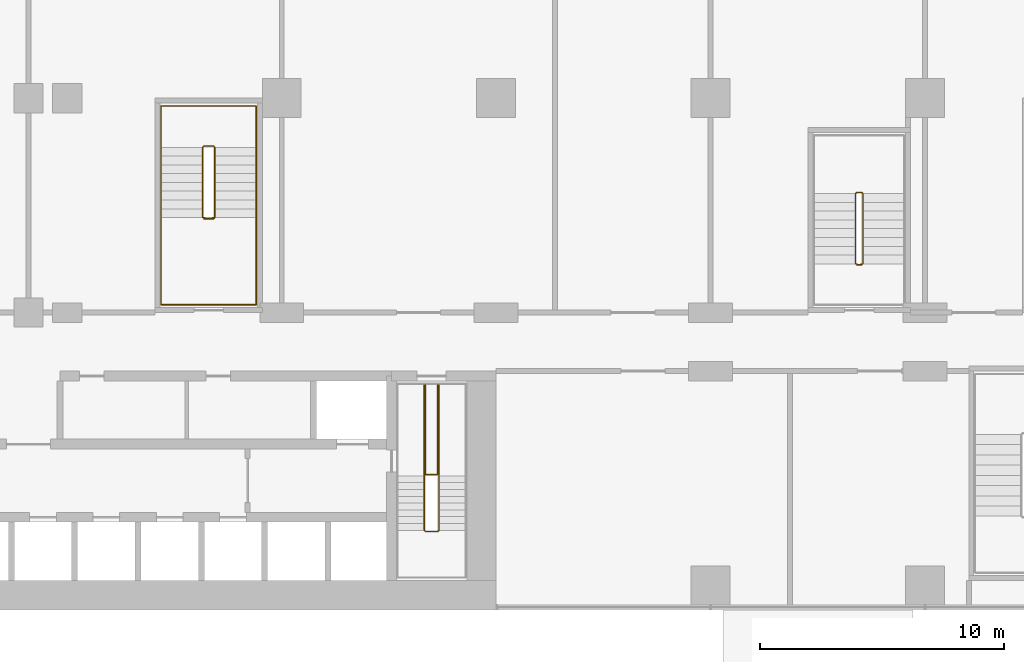
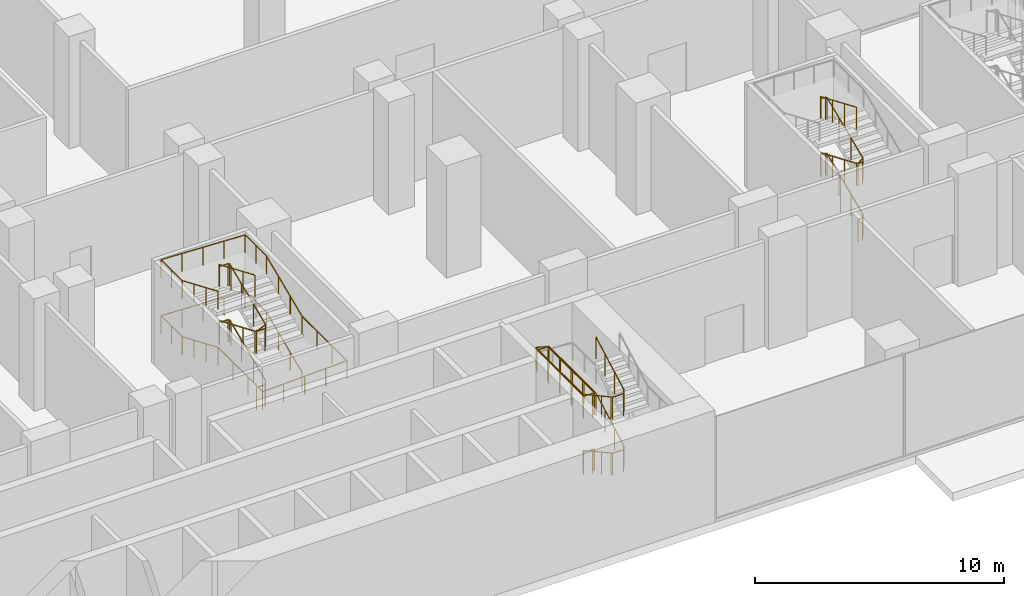
# One storey, part 26 of 30: 4 railings.
"""IFC4 building model written with IfcOpenShell, lengths in metres."""

from ifc_helpers import new_model, si_unit, direction, frame, origin, origin_2d, place, context, subcontext, project, spatial, circle, extrude, material, type_object, element, save


model = new_model("IFC4")

# Units and contexts
model_context = context("Model", 3, precision=1e-05, world=origin(), true_north=direction((0.0, 1.0)))
body_context = subcontext(model_context, "Body", "Model", "MODEL_VIEW")
ifc_project = project(units=[si_unit("LENGTHUNIT", "METRE"), si_unit("AREAUNIT", "SQUARE_METRE"), si_unit("VOLUMEUNIT", "CUBIC_METRE"), si_unit("PLANEANGLEUNIT", "RADIAN"), si_unit("MASSUNIT", "GRAM", prefix="KILO")], contexts=[model_context])

# Site, building, storey
site_placement = place(None, origin())
site = spatial("IfcSite", under=ifc_project, at=site_placement, CompositionType="ELEMENT")
building_placement = place(site_placement, origin())
building = spatial("IfcBuilding", under=site, at=building_placement, Name="Kemantara Hotel Tower", CompositionType="ELEMENT")
storey_placement = place(building_placement, frame((0.0, 0.0, 7.5)))
storey = spatial("IfcBuildingStorey", under=building, at=storey_placement, Name="L01", CompositionType="ELEMENT", Elevation=7.5)

# Railings
ifc_material = material(Name="Stainless steel balustrade", Category="steel")
railing_type_1 = type_object("IfcRailingType", Name="Stair guard 1100 mm", PredefinedType="GUARDRAIL", material=ifc_material)
railing_1_placement = place(storey_placement, frame((42.64990234375, 5.5, 5.5)))
element("IfcRailing", 1, at=railing_1_placement, inside=storey, type_object=railing_type_1, Name="L01 ST2 stair guard 1", PredefinedType="GUARDRAIL", context=body_context, shape_type="SweptSolid", body=[
    extrude(circle(Radius=0.02392578125, at=origin_2d()), frame((0.0, 0.0, 1.076171875), z_axis=(0.0, -0.87783706319, -0.478959382924), x_axis=(1.0, 0.0, 0.0)), (0.0, 0.0, 1.0), 2.5517578125),
    extrude(circle(Radius=0.02392578125, at=origin_2d()), frame((0.0, -2.239990234375, -0.14599609375), z_axis=(-0.295833358201, -0.297283521722, -0.907802363892), x_axis=(0.708833529934, -0.705375805398, 0.0)), (0.0, 0.0, 1.0), 0.16845703125),
    extrude(circle(Radius=0.02392578125, at=origin_2d()), frame((-0.0498046875, -2.2900390625, -0.298828125), z_axis=(-1.0, 0.0, 0.0), x_axis=(0.0, -1.0, 0.0)), (0.0, 0.0, 1.0), 0.5),
    extrude(circle(Radius=0.02392578125, at=origin_2d()), frame((-0.5498046875, -2.2900390625, -0.298828125), z_axis=(-0.707106781187, 0.707106781187, 0.0), x_axis=(-0.707106781187, -0.707106781187, 0.0)), (0.0, 0.0, 1.0), 0.07080078125),
    extrude(circle(Radius=0.02392578125, at=origin_2d()), frame((-0.599853515625, -2.239990234375, -0.298828125), z_axis=(0.0, 0.87783706319, -0.478959382924), x_axis=(-1.0, 0.0, 0.0)), (0.0, 0.0, 1.0), 2.5517578125),
    extrude(circle(Radius=0.02392578125, at=origin_2d()), frame((-0.599853515625, 0.0, -1.52099609375), z_axis=(0.0, 1.0, 0.0), x_axis=(-1.0, 0.0, 0.0)), (0.0, 0.0, 1.0), 3.780029296875),
    extrude(circle(Radius=0.02392578125, at=origin_2d()), frame((-0.599853515625, 3.780029296875, -1.52099609375), z_axis=(0.963499526908, 0.0, -0.267710032776), x_axis=(0.0, 1.0, 0.0)), (0.0, 0.0, 1.0), 0.57080078125),
    extrude(circle(Radius=0.02392578125, at=origin_2d()), frame((-0.0498046875, 3.780029296875, -1.673828125), z_axis=(0.0, -1.0, 0.0), x_axis=(1.0, 0.0, 0.0)), (0.0, 0.0, 1.0), 3.72998046875),
    extrude(circle(Radius=0.02392578125, at=origin_2d()), frame((-0.0498046875, 0.050048828125, -1.673828125), z_axis=(-1.0, 0.0, 0.0), x_axis=(0.0, -1.0, 0.0)), (0.0, 0.0, 1.0), 0.5),
    extrude(circle(Radius=0.02392578125, at=origin_2d()), frame((-0.5498046875, 0.050048828125, -1.673828125), z_axis=(0.0, 1.0, 0.0), x_axis=(-1.0, 0.0, 0.0)), (0.0, 0.0, 1.0), 3.72998046875),
    extrude(circle(Radius=0.02392578125, at=origin_2d()), frame((-0.5498046875, 3.780029296875, -1.673828125), z_axis=(1.0, 0.0, 0.0), x_axis=(0.0, 1.0, 0.0)), (0.0, 0.0, 1.0), 0.5498046875),
    extrude(circle(Radius=0.02392578125, at=origin_2d()), frame((0.0, 3.780029296875, -1.673828125), z_axis=(0.0, -1.0, 0.0), x_axis=(1.0, 0.0, 0.0)), (0.0, 0.0, 1.0), 3.780029296875),
    extrude(circle(Radius=0.02392578125, at=origin_2d()), frame((0.0, 0.0, -1.673828125), z_axis=(0.0, -0.87783706319, -0.478959382924), x_axis=(1.0, 0.0, 0.0)), (0.0, 0.0, 1.0), 2.5517578125),
    extrude(circle(Radius=0.02392578125, at=origin_2d()), frame((0.0, -2.239990234375, -2.89599609375), z_axis=(-0.295833358201, -0.297283521722, -0.907802363892), x_axis=(0.708833529934, -0.705375805398, 0.0)), (0.0, 0.0, 1.0), 0.16845703125),
    extrude(circle(Radius=0.02392578125, at=origin_2d()), frame((-0.0498046875, -2.2900390625, -3.048828125), z_axis=(-1.0, 0.0, 0.0), x_axis=(0.0, -1.0, 0.0)), (0.0, 0.0, 1.0), 0.5),
    extrude(circle(Radius=0.02392578125, at=origin_2d()), frame((-0.5498046875, -2.2900390625, -3.048828125), z_axis=(-0.707106781187, 0.707106781187, 0.0), x_axis=(-0.707106781187, -0.707106781187, 0.0)), (0.0, 0.0, 1.0), 0.07080078125),
    extrude(circle(Radius=0.02392578125, at=origin_2d()), frame((-0.599853515625, -2.239990234375, -3.048828125), z_axis=(0.0, 0.87783706319, -0.478959382924), x_axis=(-1.0, 0.0, 0.0)), (0.0, 0.0, 1.0), 2.5517578125),
    extrude(circle(Radius=0.02392578125, at=origin_2d()), frame((-0.599853515625, 0.0, -4.27099609375), z_axis=(0.297155754911, 0.297155754911, -0.90741220768), x_axis=(-0.707106781187, 0.707106781187, 0.0)), (0.0, 0.0, 1.0), 0.16845703125),
    extrude(circle(Radius=0.02392578125, at=origin_2d()), frame((-0.5498046875, 0.050048828125, -4.423828125), z_axis=(1.0, 0.0, 0.0), x_axis=(0.0, 1.0, 0.0)), (0.0, 0.0, 1.0), 0.5),
    extrude(circle(Radius=0.02099609375, at=origin_2d()), origin(), (0.0, 0.0, 1.0), 1.052001953125),
    extrude(circle(Radius=0.02099609375, at=origin_2d()), frame((0.0, -0.74658203125, -0.407470703125)), (0.0, 0.0, 1.0), 1.052001953125),
    extrude(circle(Radius=0.02099609375, at=origin_2d()), frame((0.0, -1.493408203125, -0.814697265625)), (0.0, 0.0, 1.0), 1.052001953125),
    extrude(circle(Radius=0.02099609375, at=origin_2d()), frame((0.0, -2.239990234375, -1.22216796875)), (0.0, 0.0, 1.0), 1.052001953125),
    extrude(circle(Radius=0.02099609375, at=origin_2d()), frame((-0.0498046875, -2.2900390625, -1.375)), (0.0, 0.0, 1.0), 1.052001953125),
    extrude(circle(Radius=0.02099609375, at=origin_2d()), frame((-0.5498046875, -2.2900390625, -1.375)), (0.0, 0.0, 1.0), 1.052001953125),
    extrude(circle(Radius=0.02099609375, at=origin_2d()), frame((-0.599853515625, -2.239990234375, -1.375)), (0.0, 0.0, 1.0), 1.052001953125),
    extrude(circle(Radius=0.02099609375, at=origin_2d()), frame((-0.599853515625, -1.493408203125, -1.782470703125)), (0.0, 0.0, 1.0), 1.052001953125),
    extrude(circle(Radius=0.02099609375, at=origin_2d()), frame((-0.599853515625, -0.74658203125, -2.189697265625)), (0.0, 0.0, 1.0), 1.052001953125),
    extrude(circle(Radius=0.02099609375, at=origin_2d()), frame((-0.599853515625, 0.0, -2.59716796875)), (0.0, 0.0, 1.0), 1.052001953125),
    extrude(circle(Radius=0.02099609375, at=origin_2d()), frame((-0.599853515625, 0.945068359375, -2.59716796875)), (0.0, 0.0, 1.0), 1.052001953125),
    extrude(circle(Radius=0.02099609375, at=origin_2d()), frame((-0.599853515625, 1.89013671875, -2.59716796875)), (0.0, 0.0, 1.0), 1.052001953125),
    extrude(circle(Radius=0.02099609375, at=origin_2d()), frame((-0.599853515625, 2.8349609375, -2.59716796875)), (0.0, 0.0, 1.0), 1.052001953125),
    extrude(circle(Radius=0.02099609375, at=origin_2d()), frame((-0.599853515625, 3.780029296875, -2.59716796875)), (0.0, 0.0, 1.0), 1.052001953125),
    extrude(circle(Radius=0.02099609375, at=origin_2d()), frame((-0.0498046875, 3.780029296875, -2.75)), (0.0, 0.0, 1.0), 1.052001953125),
    extrude(circle(Radius=0.02099609375, at=origin_2d()), frame((-0.0498046875, 2.84765625, -2.75)), (0.0, 0.0, 1.0), 1.052001953125),
    extrude(circle(Radius=0.02099609375, at=origin_2d()), frame((-0.0498046875, 1.9150390625, -2.75)), (0.0, 0.0, 1.0), 1.052001953125),
    extrude(circle(Radius=0.02099609375, at=origin_2d()), frame((-0.0498046875, 0.982421875, -2.75)), (0.0, 0.0, 1.0), 1.052001953125),
    extrude(circle(Radius=0.02099609375, at=origin_2d()), frame((-0.0498046875, 0.050048828125, -2.75)), (0.0, 0.0, 1.0), 1.052001953125),
    extrude(circle(Radius=0.02099609375, at=origin_2d()), frame((-0.5498046875, 0.050048828125, -2.75)), (0.0, 0.0, 1.0), 1.052001953125),
    extrude(circle(Radius=0.02099609375, at=origin_2d()), frame((-0.5498046875, 0.982421875, -2.75)), (0.0, 0.0, 1.0), 1.052001953125),
    extrude(circle(Radius=0.02099609375, at=origin_2d()), frame((-0.5498046875, 1.9150390625, -2.75)), (0.0, 0.0, 1.0), 1.052001953125),
    extrude(circle(Radius=0.02099609375, at=origin_2d()), frame((-0.5498046875, 2.84765625, -2.75)), (0.0, 0.0, 1.0), 1.052001953125),
    extrude(circle(Radius=0.02099609375, at=origin_2d()), frame((-0.5498046875, 3.780029296875, -2.75)), (0.0, 0.0, 1.0), 1.052001953125),
    extrude(circle(Radius=0.02099609375, at=origin_2d()), frame((0.0, 3.780029296875, -2.75)), (0.0, 0.0, 1.0), 1.052001953125),
    extrude(circle(Radius=0.02099609375, at=origin_2d()), frame((0.0, 2.8349609375, -2.75)), (0.0, 0.0, 1.0), 1.052001953125),
    extrude(circle(Radius=0.02099609375, at=origin_2d()), frame((0.0, 1.89013671875, -2.75)), (0.0, 0.0, 1.0), 1.052001953125),
    extrude(circle(Radius=0.02099609375, at=origin_2d()), frame((0.0, 0.945068359375, -2.75)), (0.0, 0.0, 1.0), 1.052001953125),
    extrude(circle(Radius=0.02099609375, at=origin_2d()), frame((0.0, 0.0, -2.75)), (0.0, 0.0, 1.0), 1.052001953125),
    extrude(circle(Radius=0.02099609375, at=origin_2d()), frame((0.0, -0.74658203125, -3.157470703125)), (0.0, 0.0, 1.0), 1.052001953125),
    extrude(circle(Radius=0.02099609375, at=origin_2d()), frame((0.0, -1.493408203125, -3.564697265625)), (0.0, 0.0, 1.0), 1.052001953125),
    extrude(circle(Radius=0.02099609375, at=origin_2d()), frame((0.0, -2.239990234375, -3.97216796875)), (0.0, 0.0, 1.0), 1.052001953125),
    extrude(circle(Radius=0.02099609375, at=origin_2d()), frame((-0.0498046875, -2.2900390625, -4.125)), (0.0, 0.0, 1.0), 1.052001953125),
    extrude(circle(Radius=0.02099609375, at=origin_2d()), frame((-0.5498046875, -2.2900390625, -4.125)), (0.0, 0.0, 1.0), 1.052001953125),
    extrude(circle(Radius=0.02099609375, at=origin_2d()), frame((-0.599853515625, -2.239990234375, -4.125)), (0.0, 0.0, 1.0), 1.052001953125),
    extrude(circle(Radius=0.02099609375, at=origin_2d()), frame((-0.599853515625, -1.493408203125, -4.532470703125)), (0.0, 0.0, 1.0), 1.052001953125),
    extrude(circle(Radius=0.02099609375, at=origin_2d()), frame((-0.599853515625, -0.74658203125, -4.939697265625)), (0.0, 0.0, 1.0), 1.052001953125),
    extrude(circle(Radius=0.02099609375, at=origin_2d()), frame((-0.599853515625, 0.0, -5.34716796875)), (0.0, 0.0, 1.0), 1.052001953125),
    extrude(circle(Radius=0.02099609375, at=origin_2d()), frame((-0.5498046875, 0.050048828125, -5.5)), (0.0, 0.0, 1.0), 1.052001953125),
    extrude(circle(Radius=0.02099609375, at=origin_2d()), frame((-0.0498046875, 0.050048828125, -5.5)), (0.0, 0.0, 1.0), 1.052001953125),
])
railing_2_placement = place(storey_placement, frame((59.75, 14.199951171875, 5.5)))
element("IfcRailing", 2, at=railing_2_placement, inside=storey, type_object=railing_type_1, Name="L01 ST3 stair guard 1", PredefinedType="GUARDRAIL", context=body_context, shape_type="SweptSolid", body=[
    extrude(circle(Radius=0.02392578125, at=origin_2d()), frame((0.0, 0.0, 1.076171875), z_axis=(0.0, 0.920547772064, -0.390630003133), x_axis=(-1.0, 0.0, 0.0)), (0.0, 0.0, 1.0), 3.128662109375),
    extrude(circle(Radius=0.02392578125, at=origin_2d()), frame((0.0, 2.880126953125, -0.14599609375), z_axis=(0.297283521722, 0.295833358201, -0.907802363892), x_axis=(-0.705375805398, 0.708833529934, 0.0)), (0.0, 0.0, 1.0), 0.16845703125),
    extrude(circle(Radius=0.02392578125, at=origin_2d()), frame((0.050048828125, 2.929931640625, -0.298828125), z_axis=(1.0, 0.0, 0.0), x_axis=(0.0, 1.0, 0.0)), (0.0, 0.0, 1.0), 0.199951171875),
    extrude(circle(Radius=0.02392578125, at=origin_2d()), frame((0.25, 2.929931640625, -0.298828125), z_axis=(0.708833529934, -0.705375805398, 0.0), x_axis=(0.705375805398, 0.708833529934, 0.0)), (0.0, 0.0, 1.0), 0.070556640625),
    extrude(circle(Radius=0.02392578125, at=origin_2d()), frame((0.300048828125, 2.880126953125, -0.298828125), z_axis=(0.0, -0.920547772064, -0.390630003133), x_axis=(1.0, 0.0, 0.0)), (0.0, 0.0, 1.0), 3.128662109375),
    extrude(circle(Radius=0.02392578125, at=origin_2d()), frame((0.300048828125, 0.0, -1.52099609375), z_axis=(-0.841019323802, -0.168368126347, -0.514138766309), x_axis=(0.196300278283, -0.98054382908, 0.0)), (0.0, 0.0, 1.0), 0.29736328125),
    extrude(circle(Radius=0.02392578125, at=origin_2d()), frame((0.050048828125, -0.050048828125, -1.673828125), z_axis=(1.0, 0.0, 0.0), x_axis=(0.0, 1.0, 0.0)), (0.0, 0.0, 1.0), 0.199951171875),
    extrude(circle(Radius=0.02392578125, at=origin_2d()), frame((0.25, -0.050048828125, -1.673828125), z_axis=(-0.98054382908, 0.196300278283, 0.0), x_axis=(-0.196300278283, -0.98054382908, 0.0)), (0.0, 0.0, 1.0), 0.2548828125),
    extrude(circle(Radius=0.02392578125, at=origin_2d()), frame((0.0, 0.0, -1.673828125), z_axis=(0.0, 0.920547772064, -0.390630003133), x_axis=(-1.0, 0.0, 0.0)), (0.0, 0.0, 1.0), 3.128662109375),
    extrude(circle(Radius=0.02392578125, at=origin_2d()), frame((0.0, 2.880126953125, -2.89599609375), z_axis=(0.297283521722, 0.295833358201, -0.907802363892), x_axis=(-0.705375805398, 0.708833529934, 0.0)), (0.0, 0.0, 1.0), 0.16845703125),
    extrude(circle(Radius=0.02392578125, at=origin_2d()), frame((0.050048828125, 2.929931640625, -3.048828125), z_axis=(1.0, 0.0, 0.0), x_axis=(0.0, 1.0, 0.0)), (0.0, 0.0, 1.0), 0.199951171875),
    extrude(circle(Radius=0.02392578125, at=origin_2d()), frame((0.25, 2.929931640625, -3.048828125), z_axis=(0.708833529934, -0.705375805398, 0.0), x_axis=(0.705375805398, 0.708833529934, 0.0)), (0.0, 0.0, 1.0), 0.070556640625),
    extrude(circle(Radius=0.02392578125, at=origin_2d()), frame((0.300048828125, 2.880126953125, -3.048828125), z_axis=(0.0, -0.920547772064, -0.390630003133), x_axis=(1.0, 0.0, 0.0)), (0.0, 0.0, 1.0), 3.128662109375),
    extrude(circle(Radius=0.02392578125, at=origin_2d()), frame((0.300048828125, 0.0, -4.27099609375), z_axis=(-0.297155754911, -0.297155754911, -0.90741220768), x_axis=(0.707106781187, -0.707106781187, 0.0)), (0.0, 0.0, 1.0), 0.16845703125),
    extrude(circle(Radius=0.02392578125, at=origin_2d()), frame((0.25, -0.050048828125, -4.423828125), z_axis=(-1.0, 0.0, 0.0), x_axis=(0.0, -1.0, 0.0)), (0.0, 0.0, 1.0), 0.199951171875),
    extrude(circle(Radius=0.02099609375, at=origin_2d()), origin(), (0.0, 0.0, 1.0), 1.052001953125),
    extrude(circle(Radius=0.02099609375, at=origin_2d()), frame((0.0, 0.9599609375, -0.407470703125)), (0.0, 0.0, 1.0), 1.052001953125),
    extrude(circle(Radius=0.02099609375, at=origin_2d()), frame((0.0, 1.920166015625, -0.814697265625)), (0.0, 0.0, 1.0), 1.052001953125),
    extrude(circle(Radius=0.02099609375, at=origin_2d()), frame((0.0, 2.880126953125, -1.22216796875)), (0.0, 0.0, 1.0), 1.052001953125),
    extrude(circle(Radius=0.02099609375, at=origin_2d()), frame((0.050048828125, 2.929931640625, -1.375)), (0.0, 0.0, 1.0), 1.052001953125),
    extrude(circle(Radius=0.02099609375, at=origin_2d()), frame((0.25, 2.929931640625, -1.375)), (0.0, 0.0, 1.0), 1.052001953125),
    extrude(circle(Radius=0.02099609375, at=origin_2d()), frame((0.300048828125, 2.880126953125, -1.375)), (0.0, 0.0, 1.0), 1.052001953125),
    extrude(circle(Radius=0.02099609375, at=origin_2d()), frame((0.300048828125, 1.920166015625, -1.782470703125)), (0.0, 0.0, 1.0), 1.052001953125),
    extrude(circle(Radius=0.02099609375, at=origin_2d()), frame((0.300048828125, 0.9599609375, -2.189697265625)), (0.0, 0.0, 1.0), 1.052001953125),
    extrude(circle(Radius=0.02099609375, at=origin_2d()), frame((0.300048828125, 0.0, -2.59716796875)), (0.0, 0.0, 1.0), 1.052001953125),
    extrude(circle(Radius=0.02099609375, at=origin_2d()), frame((0.050048828125, -0.050048828125, -2.75)), (0.0, 0.0, 1.0), 1.052001953125),
    extrude(circle(Radius=0.02099609375, at=origin_2d()), frame((0.25, -0.050048828125, -2.75)), (0.0, 0.0, 1.0), 1.052001953125),
    extrude(circle(Radius=0.02099609375, at=origin_2d()), frame((0.0, 0.0, -2.75)), (0.0, 0.0, 1.0), 1.052001953125),
    extrude(circle(Radius=0.02099609375, at=origin_2d()), frame((0.0, 0.9599609375, -3.157470703125)), (0.0, 0.0, 1.0), 1.052001953125),
    extrude(circle(Radius=0.02099609375, at=origin_2d()), frame((0.0, 1.920166015625, -3.564697265625)), (0.0, 0.0, 1.0), 1.052001953125),
    extrude(circle(Radius=0.02099609375, at=origin_2d()), frame((0.0, 2.880126953125, -3.97216796875)), (0.0, 0.0, 1.0), 1.052001953125),
    extrude(circle(Radius=0.02099609375, at=origin_2d()), frame((0.050048828125, 2.929931640625, -4.125)), (0.0, 0.0, 1.0), 1.052001953125),
    extrude(circle(Radius=0.02099609375, at=origin_2d()), frame((0.25, 2.929931640625, -4.125)), (0.0, 0.0, 1.0), 1.052001953125),
    extrude(circle(Radius=0.02099609375, at=origin_2d()), frame((0.300048828125, 2.880126953125, -4.125)), (0.0, 0.0, 1.0), 1.052001953125),
    extrude(circle(Radius=0.02099609375, at=origin_2d()), frame((0.300048828125, 1.920166015625, -4.532470703125)), (0.0, 0.0, 1.0), 1.052001953125),
    extrude(circle(Radius=0.02099609375, at=origin_2d()), frame((0.300048828125, 0.9599609375, -4.939697265625)), (0.0, 0.0, 1.0), 1.052001953125),
    extrude(circle(Radius=0.02099609375, at=origin_2d()), frame((0.300048828125, 0.0, -5.34716796875)), (0.0, 0.0, 1.0), 1.052001953125),
    extrude(circle(Radius=0.02099609375, at=origin_2d()), frame((0.25, -0.050048828125, -5.5)), (0.0, 0.0, 1.0), 1.052001953125),
    extrude(circle(Radius=0.02099609375, at=origin_2d()), frame((0.050048828125, -0.050048828125, -5.5)), (0.0, 0.0, 1.0), 1.052001953125),
])
railing_3_placement = place(storey_placement, frame((32.949951171875, 16.10009765625, 5.5)))
element("IfcRailing", 3, at=railing_3_placement, inside=storey, type_object=railing_type_1, Name="L01 PS3 stair guard 1", PredefinedType="GUARDRAIL", context=body_context, shape_type="SweptSolid", body=[
    extrude(circle(Radius=0.02392578125, at=origin_2d()), frame((0.0, 0.0, 1.076171875), z_axis=(0.0, 0.920535863683, -0.390658064903), x_axis=(-1.0, 0.0, 0.0)), (0.0, 0.0, 1.0), 3.12841796875),
    extrude(circle(Radius=0.02392578125, at=origin_2d()), frame((0.0, 2.8798828125, -0.14599609375), z_axis=(0.297155754911, 0.297155754911, -0.90741220768), x_axis=(-0.707106781187, 0.707106781187, 0.0)), (0.0, 0.0, 1.0), 0.16845703125),
    extrude(circle(Radius=0.02392578125, at=origin_2d()), frame((0.050048828125, 2.929931640625, -0.298828125), z_axis=(1.0, 0.0, 0.0), x_axis=(0.0, 1.0, 0.0)), (0.0, 0.0, 1.0), 0.39990234375),
    extrude(circle(Radius=0.02392578125, at=origin_2d()), frame((0.449951171875, 2.929931640625, -0.298828125), z_axis=(0.707106781187, -0.707106781187, 0.0), x_axis=(0.707106781187, 0.707106781187, 0.0)), (0.0, 0.0, 1.0), 0.07080078125),
    extrude(circle(Radius=0.02392578125, at=origin_2d()), frame((0.5, 2.8798828125, -0.298828125), z_axis=(0.0, -0.920535863683, -0.390658064903), x_axis=(1.0, 0.0, 0.0)), (0.0, 0.0, 1.0), 3.12841796875),
    extrude(circle(Radius=0.02392578125, at=origin_2d()), frame((0.5, 0.0, -1.52099609375), z_axis=(-0.941661397821, -0.104742586301, -0.319848092803), x_axis=(0.110549901152, -0.993870574751, 0.0)), (0.0, 0.0, 1.0), 0.477783203125),
    extrude(circle(Radius=0.02392578125, at=origin_2d()), frame((0.050048828125, -0.050048828125, -1.673828125), z_axis=(1.0, 0.0, 0.0), x_axis=(0.0, 1.0, 0.0)), (0.0, 0.0, 1.0), 0.39990234375),
    extrude(circle(Radius=0.02392578125, at=origin_2d()), frame((0.449951171875, -0.050048828125, -1.673828125), z_axis=(-0.993870574751, 0.110549901152, 0.0), x_axis=(-0.110549901152, -0.993870574751, 0.0)), (0.0, 0.0, 1.0), 0.45263671875),
    extrude(circle(Radius=0.02392578125, at=origin_2d()), frame((0.0, 0.0, -1.673828125), z_axis=(0.0, 0.920535863683, -0.390658064903), x_axis=(-1.0, 0.0, 0.0)), (0.0, 0.0, 1.0), 3.12841796875),
    extrude(circle(Radius=0.02392578125, at=origin_2d()), frame((0.0, 2.8798828125, -2.89599609375), z_axis=(0.297155754911, 0.297155754911, -0.90741220768), x_axis=(-0.707106781187, 0.707106781187, 0.0)), (0.0, 0.0, 1.0), 0.16845703125),
    extrude(circle(Radius=0.02392578125, at=origin_2d()), frame((0.050048828125, 2.929931640625, -3.048828125), z_axis=(1.0, 0.0, 0.0), x_axis=(0.0, 1.0, 0.0)), (0.0, 0.0, 1.0), 0.39990234375),
    extrude(circle(Radius=0.02392578125, at=origin_2d()), frame((0.449951171875, 2.929931640625, -3.048828125), z_axis=(0.707106781187, -0.707106781187, 0.0), x_axis=(0.707106781187, 0.707106781187, 0.0)), (0.0, 0.0, 1.0), 0.07080078125),
    extrude(circle(Radius=0.02392578125, at=origin_2d()), frame((0.5, 2.8798828125, -3.048828125), z_axis=(0.0, -0.920535863683, -0.390658064903), x_axis=(1.0, 0.0, 0.0)), (0.0, 0.0, 1.0), 3.12841796875),
    extrude(circle(Radius=0.02392578125, at=origin_2d()), frame((0.5, 0.0, -4.27099609375), z_axis=(-0.297155754911, -0.297155754911, -0.90741220768), x_axis=(0.707106781187, -0.707106781187, 0.0)), (0.0, 0.0, 1.0), 0.16845703125),
    extrude(circle(Radius=0.02392578125, at=origin_2d()), frame((0.449951171875, -0.050048828125, -4.423828125), z_axis=(-1.0, 0.0, 0.0), x_axis=(0.0, -1.0, 0.0)), (0.0, 0.0, 1.0), 0.39990234375),
    extrude(circle(Radius=0.02099609375, at=origin_2d()), origin(), (0.0, 0.0, 1.0), 1.052001953125),
    extrude(circle(Radius=0.02099609375, at=origin_2d()), frame((0.0, 0.9599609375, -0.407470703125)), (0.0, 0.0, 1.0), 1.052001953125),
    extrude(circle(Radius=0.02099609375, at=origin_2d()), frame((0.0, 1.919921875, -0.814697265625)), (0.0, 0.0, 1.0), 1.052001953125),
    extrude(circle(Radius=0.02099609375, at=origin_2d()), frame((0.0, 2.8798828125, -1.22216796875)), (0.0, 0.0, 1.0), 1.052001953125),
    extrude(circle(Radius=0.02099609375, at=origin_2d()), frame((0.050048828125, 2.929931640625, -1.375)), (0.0, 0.0, 1.0), 1.052001953125),
    extrude(circle(Radius=0.02099609375, at=origin_2d()), frame((0.449951171875, 2.929931640625, -1.375)), (0.0, 0.0, 1.0), 1.052001953125),
    extrude(circle(Radius=0.02099609375, at=origin_2d()), frame((0.5, 2.8798828125, -1.375)), (0.0, 0.0, 1.0), 1.052001953125),
    extrude(circle(Radius=0.02099609375, at=origin_2d()), frame((0.5, 1.919921875, -1.782470703125)), (0.0, 0.0, 1.0), 1.052001953125),
    extrude(circle(Radius=0.02099609375, at=origin_2d()), frame((0.5, 0.9599609375, -2.189697265625)), (0.0, 0.0, 1.0), 1.052001953125),
    extrude(circle(Radius=0.02099609375, at=origin_2d()), frame((0.5, 0.0, -2.59716796875)), (0.0, 0.0, 1.0), 1.052001953125),
    extrude(circle(Radius=0.02099609375, at=origin_2d()), frame((0.050048828125, -0.050048828125, -2.75)), (0.0, 0.0, 1.0), 1.052001953125),
    extrude(circle(Radius=0.02099609375, at=origin_2d()), frame((0.449951171875, -0.050048828125, -2.75)), (0.0, 0.0, 1.0), 1.052001953125),
    extrude(circle(Radius=0.02099609375, at=origin_2d()), frame((0.0, 0.0, -2.75)), (0.0, 0.0, 1.0), 1.052001953125),
    extrude(circle(Radius=0.02099609375, at=origin_2d()), frame((0.0, 0.9599609375, -3.157470703125)), (0.0, 0.0, 1.0), 1.052001953125),
    extrude(circle(Radius=0.02099609375, at=origin_2d()), frame((0.0, 1.919921875, -3.564697265625)), (0.0, 0.0, 1.0), 1.052001953125),
    extrude(circle(Radius=0.02099609375, at=origin_2d()), frame((0.0, 2.8798828125, -3.97216796875)), (0.0, 0.0, 1.0), 1.052001953125),
    extrude(circle(Radius=0.02099609375, at=origin_2d()), frame((0.050048828125, 2.929931640625, -4.125)), (0.0, 0.0, 1.0), 1.052001953125),
    extrude(circle(Radius=0.02099609375, at=origin_2d()), frame((0.449951171875, 2.929931640625, -4.125)), (0.0, 0.0, 1.0), 1.052001953125),
    extrude(circle(Radius=0.02099609375, at=origin_2d()), frame((0.5, 2.8798828125, -4.125)), (0.0, 0.0, 1.0), 1.052001953125),
    extrude(circle(Radius=0.02099609375, at=origin_2d()), frame((0.5, 1.919921875, -4.532470703125)), (0.0, 0.0, 1.0), 1.052001953125),
    extrude(circle(Radius=0.02099609375, at=origin_2d()), frame((0.5, 0.9599609375, -4.939697265625)), (0.0, 0.0, 1.0), 1.052001953125),
    extrude(circle(Radius=0.02099609375, at=origin_2d()), frame((0.5, 0.0, -5.34716796875)), (0.0, 0.0, 1.0), 1.052001953125),
    extrude(circle(Radius=0.02099609375, at=origin_2d()), frame((0.449951171875, -0.050048828125, -5.5)), (0.0, 0.0, 1.0), 1.052001953125),
    extrude(circle(Radius=0.02099609375, at=origin_2d()), frame((0.050048828125, -0.050048828125, -5.5)), (0.0, 0.0, 1.0), 1.052001953125),
])
railing_type_2 = type_object("IfcRailingType", Name="Stair handrail 900 mm", PredefinedType="HANDRAIL", material=ifc_material)
railing_4_placement = place(storey_placement, frame((35.14990234375, 16.10009765625, 0.15283203125)))
element("IfcRailing", 4, at=railing_4_placement, inside=storey, type_object=railing_type_2, Name="L01 PS3 stair handrail 1", PredefinedType="HANDRAIL", context=body_context, shape_type="SweptSolid", body=[
    extrude(circle(Radius=0.02392578125, at=origin_2d()), frame((0.0, 0.0, 0.8759765625), z_axis=(0.0, 0.920535863683, 0.390658064903), x_axis=(-1.0, 0.0, 0.0)), (0.0, 0.0, 1.0), 3.12841796875),
    extrude(circle(Radius=0.02392578125, at=origin_2d()), frame((0.0, 2.8798828125, 2.09814453125), z_axis=(0.0, 1.0, 0.0), x_axis=(-1.0, 0.0, 0.0)), (0.0, 0.0, 1.0), 1.699951171875),
    extrude(circle(Radius=0.02392578125, at=origin_2d()), frame((0.0, 4.579833984375, 2.09814453125), z_axis=(-0.999233006938, 0.0, 0.039158624161), x_axis=(0.0, -1.0, 0.0)), (0.0, 0.0, 1.0), 3.90283203125),
    extrude(circle(Radius=0.02392578125, at=origin_2d()), frame((-3.89990234375, 4.579833984375, 2.2509765625), z_axis=(0.0, -1.0, 0.0), x_axis=(1.0, 0.0, 0.0)), (0.0, 0.0, 1.0), 1.699951171875),
    extrude(circle(Radius=0.02392578125, at=origin_2d()), frame((-3.89990234375, 2.8798828125, 2.2509765625), z_axis=(0.0, -0.920535863683, 0.390658064903), x_axis=(1.0, 0.0, 0.0)), (0.0, 0.0, 1.0), 3.12841796875),
    extrude(circle(Radius=0.02392578125, at=origin_2d()), frame((-3.89990234375, 0.0, 3.47314453125), z_axis=(0.0, -1.0, 0.0), x_axis=(1.0, 0.0, 0.0)), (0.0, 0.0, 1.0), 3.580078125),
    extrude(circle(Radius=0.02392578125, at=origin_2d()), frame((-3.89990234375, -3.580078125, 3.47314453125), z_axis=(0.999233006938, 0.0, 0.039158624161), x_axis=(0.0, 1.0, 0.0)), (0.0, 0.0, 1.0), 3.90283203125),
    extrude(circle(Radius=0.02392578125, at=origin_2d()), frame((0.0, -3.580078125, 3.6259765625), z_axis=(0.0, 1.0, 0.0), x_axis=(-1.0, 0.0, 0.0)), (0.0, 0.0, 1.0), 3.580078125),
    extrude(circle(Radius=0.02392578125, at=origin_2d()), frame((0.0, 0.0, 3.6259765625), z_axis=(0.0, 0.920535863683, 0.390658064903), x_axis=(-1.0, 0.0, 0.0)), (0.0, 0.0, 1.0), 3.12841796875),
    extrude(circle(Radius=0.02392578125, at=origin_2d()), frame((0.0, 2.8798828125, 4.84814453125), z_axis=(0.0, 1.0, 0.0), x_axis=(-1.0, 0.0, 0.0)), (0.0, 0.0, 1.0), 1.699951171875),
    extrude(circle(Radius=0.02392578125, at=origin_2d()), frame((0.0, 4.579833984375, 4.84814453125), z_axis=(-0.999233006938, 0.0, 0.039158624161), x_axis=(0.0, -1.0, 0.0)), (0.0, 0.0, 1.0), 3.90283203125),
    extrude(circle(Radius=0.02392578125, at=origin_2d()), frame((-3.89990234375, 4.579833984375, 5.0009765625), z_axis=(0.0, -1.0, 0.0), x_axis=(1.0, 0.0, 0.0)), (0.0, 0.0, 1.0), 1.699951171875),
    extrude(circle(Radius=0.02392578125, at=origin_2d()), frame((-3.89990234375, 2.8798828125, 5.0009765625), z_axis=(0.0, -0.920535863683, 0.390658064903), x_axis=(1.0, 0.0, 0.0)), (0.0, 0.0, 1.0), 3.12841796875),
    extrude(circle(Radius=0.02099609375, at=origin_2d()), origin(), (0.0, 0.0, 1.0), 0.851806640625),
    extrude(circle(Radius=0.02099609375, at=origin_2d()), frame((0.0, 0.9599609375, 0.407470703125)), (0.0, 0.0, 1.0), 0.851806640625),
    extrude(circle(Radius=0.02099609375, at=origin_2d()), frame((0.0, 1.919921875, 0.814697265625)), (0.0, 0.0, 1.0), 0.851806640625),
    extrude(circle(Radius=0.02099609375, at=origin_2d()), frame((0.0, 2.8798828125, 1.22216796875)), (0.0, 0.0, 1.0), 0.851806640625),
    extrude(circle(Radius=0.02099609375, at=origin_2d()), frame((0.0, 3.72998046875, 1.22216796875)), (0.0, 0.0, 1.0), 0.851806640625),
    extrude(circle(Radius=0.02099609375, at=origin_2d()), frame((0.0, 4.579833984375, 1.22216796875)), (0.0, 0.0, 1.0), 0.851806640625),
    extrude(circle(Radius=0.02099609375, at=origin_2d()), frame((-0.97509765625, 4.579833984375, 1.26025390625)), (0.0, 0.0, 1.0), 0.851806640625),
    extrude(circle(Radius=0.02099609375, at=origin_2d()), frame((-1.949951171875, 4.579833984375, 1.298583984375)), (0.0, 0.0, 1.0), 0.851806640625),
    extrude(circle(Radius=0.02099609375, at=origin_2d()), frame((-2.9248046875, 4.579833984375, 1.3369140625)), (0.0, 0.0, 1.0), 0.851806640625),
    extrude(circle(Radius=0.02099609375, at=origin_2d()), frame((-3.89990234375, 4.579833984375, 1.375)), (0.0, 0.0, 1.0), 0.851806640625),
    extrude(circle(Radius=0.02099609375, at=origin_2d()), frame((-3.89990234375, 3.72998046875, 1.375)), (0.0, 0.0, 1.0), 0.851806640625),
    extrude(circle(Radius=0.02099609375, at=origin_2d()), frame((-3.89990234375, 2.8798828125, 1.375)), (0.0, 0.0, 1.0), 0.851806640625),
    extrude(circle(Radius=0.02099609375, at=origin_2d()), frame((-3.89990234375, 1.919921875, 1.782470703125)), (0.0, 0.0, 1.0), 0.851806640625),
    extrude(circle(Radius=0.02099609375, at=origin_2d()), frame((-3.89990234375, 0.9599609375, 2.189697265625)), (0.0, 0.0, 1.0), 0.851806640625),
    extrude(circle(Radius=0.02099609375, at=origin_2d()), frame((-3.89990234375, 0.0, 2.59716796875)), (0.0, 0.0, 1.0), 0.851806640625),
    extrude(circle(Radius=0.02099609375, at=origin_2d()), frame((-3.89990234375, -1.193359375, 2.59716796875)), (0.0, 0.0, 1.0), 0.851806640625),
    extrude(circle(Radius=0.02099609375, at=origin_2d()), frame((-3.89990234375, -2.38671875, 2.59716796875)), (0.0, 0.0, 1.0), 0.851806640625),
    extrude(circle(Radius=0.02099609375, at=origin_2d()), frame((-3.89990234375, -3.580078125, 2.59716796875)), (0.0, 0.0, 1.0), 0.851806640625),
    extrude(circle(Radius=0.02099609375, at=origin_2d()), frame((-2.9248046875, -3.580078125, 2.63525390625)), (0.0, 0.0, 1.0), 0.851806640625),
    extrude(circle(Radius=0.02099609375, at=origin_2d()), frame((-1.949951171875, -3.580078125, 2.673583984375)), (0.0, 0.0, 1.0), 0.851806640625),
    extrude(circle(Radius=0.02099609375, at=origin_2d()), frame((-0.97509765625, -3.580078125, 2.7119140625)), (0.0, 0.0, 1.0), 0.851806640625),
    extrude(circle(Radius=0.02099609375, at=origin_2d()), frame((0.0, -3.580078125, 2.75)), (0.0, 0.0, 1.0), 0.851806640625),
    extrude(circle(Radius=0.02099609375, at=origin_2d()), frame((0.0, -2.38671875, 2.75)), (0.0, 0.0, 1.0), 0.851806640625),
    extrude(circle(Radius=0.02099609375, at=origin_2d()), frame((0.0, -1.193359375, 2.75)), (0.0, 0.0, 1.0), 0.851806640625),
    extrude(circle(Radius=0.02099609375, at=origin_2d()), frame((0.0, 0.0, 2.75)), (0.0, 0.0, 1.0), 0.851806640625),
    extrude(circle(Radius=0.02099609375, at=origin_2d()), frame((0.0, 0.9599609375, 3.157470703125)), (0.0, 0.0, 1.0), 0.851806640625),
    extrude(circle(Radius=0.02099609375, at=origin_2d()), frame((0.0, 1.919921875, 3.564697265625)), (0.0, 0.0, 1.0), 0.851806640625),
    extrude(circle(Radius=0.02099609375, at=origin_2d()), frame((0.0, 2.8798828125, 3.97216796875)), (0.0, 0.0, 1.0), 0.851806640625),
    extrude(circle(Radius=0.02099609375, at=origin_2d()), frame((0.0, 3.72998046875, 3.97216796875)), (0.0, 0.0, 1.0), 0.851806640625),
    extrude(circle(Radius=0.02099609375, at=origin_2d()), frame((0.0, 4.579833984375, 3.97216796875)), (0.0, 0.0, 1.0), 0.851806640625),
    extrude(circle(Radius=0.02099609375, at=origin_2d()), frame((-0.97509765625, 4.579833984375, 4.01025390625)), (0.0, 0.0, 1.0), 0.851806640625),
    extrude(circle(Radius=0.02099609375, at=origin_2d()), frame((-1.949951171875, 4.579833984375, 4.048583984375)), (0.0, 0.0, 1.0), 0.851806640625),
    extrude(circle(Radius=0.02099609375, at=origin_2d()), frame((-2.9248046875, 4.579833984375, 4.0869140625)), (0.0, 0.0, 1.0), 0.851806640625),
    extrude(circle(Radius=0.02099609375, at=origin_2d()), frame((-3.89990234375, 4.579833984375, 4.125)), (0.0, 0.0, 1.0), 0.851806640625),
    extrude(circle(Radius=0.02099609375, at=origin_2d()), frame((-3.89990234375, 3.72998046875, 4.125)), (0.0, 0.0, 1.0), 0.851806640625),
    extrude(circle(Radius=0.02099609375, at=origin_2d()), frame((-3.89990234375, 2.8798828125, 4.125)), (0.0, 0.0, 1.0), 0.851806640625),
    extrude(circle(Radius=0.02099609375, at=origin_2d()), frame((-3.89990234375, 1.919921875, 4.532470703125)), (0.0, 0.0, 1.0), 0.851806640625),
    extrude(circle(Radius=0.02099609375, at=origin_2d()), frame((-3.89990234375, 0.9599609375, 4.939697265625)), (0.0, 0.0, 1.0), 0.851806640625),
    extrude(circle(Radius=0.02099609375, at=origin_2d()), frame((-3.89990234375, 0.0, 5.34716796875)), (0.0, 0.0, 1.0), 0.851806640625),
])

save(model, "model.ifc")
